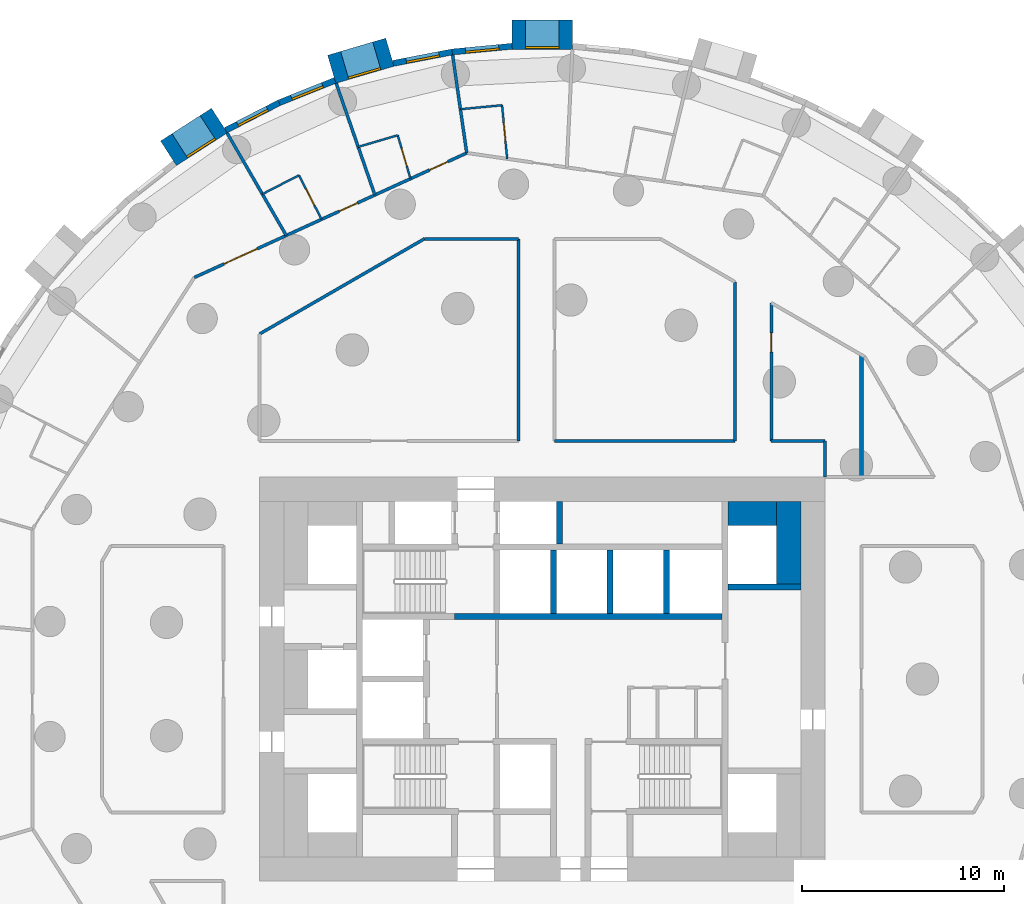
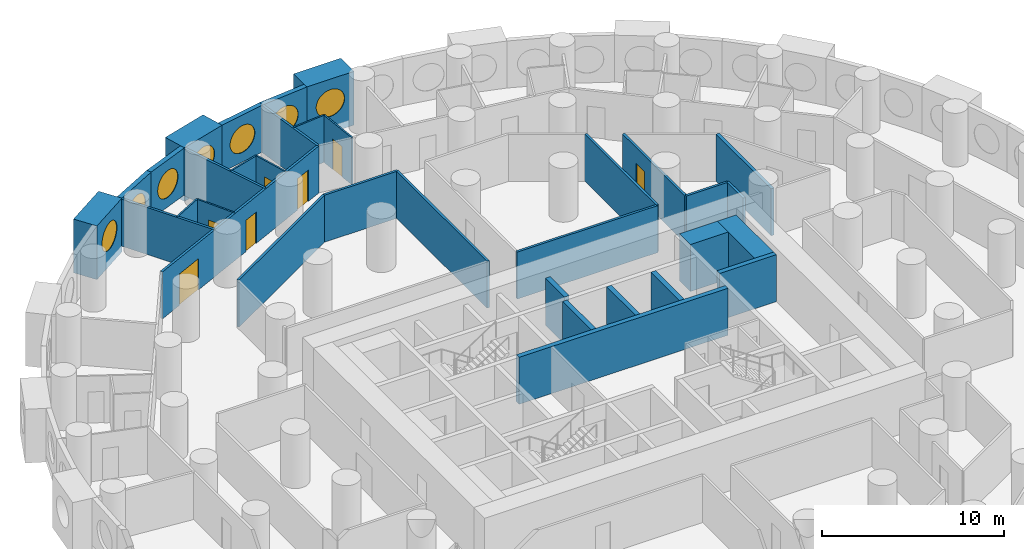
# One storey, part 8 of 12: 34 walls, 7 doors, 7 windows, 14 openings.
"""IFC4 building model written with IfcOpenShell, lengths in metres."""

import ifcopenshell
import ifcopenshell.guid

model = None  # the IFC model being written
_history = None  # IfcOwnerHistory: only IFC2X3 demands one
_inside = {}  # id of a spatial element -> (the spatial element, [elements in it])
_under = {}  # id of a project, library or spatial element -> (it, [spatial elements below it])
_declared = {}  # id of a project -> (the project, [libraries it declares])
_typed = {}  # id of a type object -> (the type object, [elements of that type])
_made_of = {}  # id of a material, layer set ... -> (it, [elements and type objects made of it])


def new_model(schema):
    """Start an empty IFC model of exactly this schema.

    Asked for "IFC4X3", IfcOpenShell would pick the latest addendum, in which some entities
    have other attributes; the version numbers below select the first issue.
    IFC2X3 requires an IfcOwnerHistory on every rooted entity: one is made here for all.
    """
    global model, _history
    if schema == "IFC4X3":
        model = ifcopenshell.file(schema_version=(4, 3, 0, 0))
    else:
        model = ifcopenshell.file(schema=schema)
    _inside.clear()
    _under.clear()
    _declared.clear()
    _typed.clear()
    _made_of.clear()
    _history = None
    if model.schema == "IFC2X3":
        org = make("IfcOrganization", Name="unknown")
        user = make(
            "IfcPersonAndOrganization",
            ThePerson=make("IfcPerson", FamilyName="unknown"),
            TheOrganization=org,
        )
        app = make(
            "IfcApplication",
            ApplicationDeveloper=org,
            Version="unknown",
            ApplicationFullName="unknown",
            ApplicationIdentifier="unknown",
        )
        _history = make(
            "IfcOwnerHistory",
            OwningUser=user,
            OwningApplication=app,
            ChangeAction="ADDED",
            CreationDate=0,
        )
    return model


def make(cls, **values):
    """One entity of the class cls with the attributes given. An attribute that is None is left unset."""
    return model.create_entity(
        cls, **{name: value for name, value in values.items() if value is not None}
    )


def rooted(cls, **values):
    """An entity with a GlobalId (a new one), such as an element, a storey or a relation."""
    return make(cls, GlobalId=ifcopenshell.guid.new(), OwnerHistory=_history, **values)


def si_unit(unit_type, name, prefix=None):
    """IfcSIUnit, for example si_unit("LENGTHUNIT", "METRE", prefix="MILLI")."""
    return make("IfcSIUnit", UnitType=unit_type, Prefix=prefix, Name=name)


def assignment(units):
    """IfcUnitAssignment: the units of a project."""
    return None if units is None else make("IfcUnitAssignment", Units=units)


def point(xyz):
    """IfcCartesianPoint."""
    return None if xyz is None else make("IfcCartesianPoint", Coordinates=xyz)


def direction(xyz):
    """IfcDirection."""
    return None if xyz is None else make("IfcDirection", DirectionRatios=xyz)


def frame(location, z_axis=None, x_axis=None):
    """IfcAxis2Placement3D, a coordinate frame: its origin and axes. An axis left out is left unset."""
    return make(
        "IfcAxis2Placement3D",
        Location=point(location),
        Axis=direction(z_axis),
        RefDirection=direction(x_axis),
    )


def frame_2d(location, x_axis=None):
    """IfcAxis2Placement2D, a coordinate frame in the plane: its origin and x axis."""
    return make(
        "IfcAxis2Placement2D", Location=point(location), RefDirection=direction(x_axis)
    )


def origin():
    """The frame at (0, 0, 0) with its axes left unset."""
    return frame((0.0, 0.0, 0.0))


def origin_2d():
    """The frame at (0, 0) in the plane with its x axis left unset."""
    return frame_2d((0.0, 0.0))


def place(relative_to, where):
    """IfcLocalPlacement: puts the frame where relative to a parent placement (None: the world)."""
    return make(
        "IfcLocalPlacement", PlacementRelTo=relative_to, RelativePlacement=where
    )


def context(
    kind, dimensions, precision=None, world=None, true_north=None, identifier=None
):
    """IfcGeometricRepresentationContext, for example the 3D "Model" context."""
    return make(
        "IfcGeometricRepresentationContext",
        ContextIdentifier=identifier,
        ContextType=kind,
        CoordinateSpaceDimension=dimensions,
        Precision=precision,
        WorldCoordinateSystem=world,
        TrueNorth=true_north,
    )


def subcontext(parent, identifier, kind, view, scale=None):
    """IfcGeometricRepresentationSubContext, for example "Body" below "Model"."""
    return make(
        "IfcGeometricRepresentationSubContext",
        ContextIdentifier=identifier,
        ContextType=kind,
        ParentContext=parent,
        TargetScale=scale,
        TargetView=view,
    )


def project(units=None, contexts=None):
    """IfcProject with its units and contexts."""
    return rooted(
        "IfcProject",
        Name="project",
        RepresentationContexts=contexts,
        UnitsInContext=assignment(units),
    )


def spatial(cls, under=None, at=None, **own):
    """A site, building, storey or space (cls), placed at a placement, below another one or the project."""
    s = rooted(cls, ObjectPlacement=at, **own)
    if under is not None:
        _under.setdefault(under.id(), (under, []))[1].append(s)
    return s


def profile(cls, at=None, kind="AREA", **sizes):
    """A parametric profile (cls). Its sizes go by their IFC names, for example OverallWidth=200.0."""
    return make(cls, ProfileType=kind, Position=at, **sizes)


def rectangle(**sizes):
    """IfcRectangleProfileDef."""
    return profile("IfcRectangleProfileDef", **sizes)


def circle(**sizes):
    """IfcCircleProfileDef."""
    return profile("IfcCircleProfileDef", **sizes)


def extrude(swept, where, along, depth):
    """IfcExtrudedAreaSolid: the profile swept, set in the frame where, extruded along a direction by depth."""
    return make(
        "IfcExtrudedAreaSolid",
        SweptArea=swept,
        Position=where,
        ExtrudedDirection=direction(along),
        Depth=depth,
    )


def shape(context_of_items, identifier, shape_type, items):
    """IfcShapeRepresentation: the items that make up one representation, for example the "Body"."""
    return make(
        "IfcShapeRepresentation",
        ContextOfItems=context_of_items,
        RepresentationIdentifier=identifier,
        RepresentationType=shape_type,
        Items=items,
    )


def material(Name=None, Category=None):
    """IfcMaterial."""
    return make("IfcMaterial", Name=Name, Category=Category)


def layer(
    of_material, thickness, ventilated=None, Name=None, Category=None, Priority=None
):
    """IfcMaterialLayer: one layer of a wall or slab, of a material (None: an air gap)."""
    return make(
        "IfcMaterialLayer",
        Material=of_material,
        LayerThickness=thickness,
        IsVentilated=ventilated,
        Name=Name,
        Category=Category,
        Priority=Priority,
    )


def layer_set(layers, Name=None):
    """IfcMaterialLayerSet."""
    return make("IfcMaterialLayerSet", MaterialLayers=layers, LayerSetName=Name)


def made_of(thing, what):
    """Note that an element or type object is made of a material, layer set ...; save() writes the relation."""
    if what is not None:
        _made_of.setdefault(what.id(), (what, []))[1].append(thing)
    return thing


def type_object(cls, material=None, **own):
    """A type object (cls), such as IfcWallType, which elements share."""
    return made_of(rooted(cls, **own), material)


def element(
    cls,
    number,
    at=None,
    inside=None,
    cuts=None,
    type_object=None,
    material=None,
    context=None,
    identifier="Body",
    shape_type=None,
    held_by="IfcProductDefinitionShape",
    body=None,
    shapes=None,
    **own,
):
    """One element of the class cls, such as IfcWall. Its Tag is "e" and its number.

    at: its placement. inside: the storey or other place that contains it. cuts: it is an
    opening in that element (IfcRelVoidsElement). A single representation is given by context,
    identifier, shape_type and body (its items); several are given by shapes. held_by: the class
    of the entity that holds the representations. save() writes the other relations.
    """
    e = rooted(cls, Tag="e%d" % number, ObjectPlacement=at, **own)
    if body is not None:
        shapes = [shape(context, identifier, shape_type, body)]
    if shapes is not None:
        e.Representation = make(held_by, Representations=shapes)
    if inside is not None:
        _inside.setdefault(inside.id(), (inside, []))[1].append(e)
    if cuts is not None:
        rooted(
            "IfcRelVoidsElement", RelatingBuildingElement=cuts, RelatedOpeningElement=e
        )
    if type_object is not None:
        _typed.setdefault(type_object.id(), (type_object, []))[1].append(e)
    return made_of(e, material)


def fill(opening, filler):
    """IfcRelFillsElement: the door or window that sits in an opening."""
    return rooted(
        "IfcRelFillsElement",
        RelatingOpeningElement=opening,
        RelatedBuildingElement=filler,
    )


def aggregate(whole, parts):
    """IfcRelAggregates: a whole, such as a stair, and the parts it consists of."""
    return rooted("IfcRelAggregates", RelatingObject=whole, RelatedObjects=parts)


def save(model, path):
    """Write the relations noted so far, then the file.

    IfcRelAggregates (storeys below a building ...), IfcRelContainedInSpatialStructure (elements
    in a storey), IfcRelDefinesByType, IfcRelAssociatesMaterial and IfcRelDeclares: one each for
    every whole, place, type object, material and project.
    """
    for whole, parts in _under.values():
        aggregate(whole, parts)
    for where, things in _inside.values():
        rooted(
            "IfcRelContainedInSpatialStructure",
            RelatedElements=things,
            RelatingStructure=where,
        )
    for kind, things in _typed.values():
        rooted("IfcRelDefinesByType", RelatedObjects=things, RelatingType=kind)
    for what, things in _made_of.values():
        rooted("IfcRelAssociatesMaterial", RelatedObjects=things, RelatingMaterial=what)
    for by, libraries in _declared.values():
        rooted("IfcRelDeclares", RelatingContext=by, RelatedDefinitions=libraries)
    model.write(path)


model = new_model("IFC4")

# Units and contexts
model_context = context("Model", 3, precision=1e-05, world=origin(), true_north=direction((0.0, 1.0)))
body_context = subcontext(model_context, "Body", "Model", "MODEL_VIEW")
ifc_project = project(units=[si_unit("LENGTHUNIT", "METRE"), si_unit("AREAUNIT", "SQUARE_METRE"), si_unit("VOLUMEUNIT", "CUBIC_METRE"), si_unit("PLANEANGLEUNIT", "RADIAN"), si_unit("MASSUNIT", "GRAM", prefix="KILO")], contexts=[model_context])

# Site, building, storey
site_placement = place(None, origin())
site = spatial("IfcSite", under=ifc_project, at=site_placement, CompositionType="ELEMENT")
building_placement = place(site_placement, origin())
building = spatial("IfcBuilding", under=site, at=building_placement, Name="Tracery Tower", CompositionType="ELEMENT")
storey_placement = place(building_placement, frame((0.0, 0.0, 49.800048828125)))
storey = spatial("IfcBuildingStorey", under=building, at=storey_placement, Name="L11", CompositionType="ELEMENT", Elevation=49.800048828125)

# Walls
ifc_material_1 = material(Name="Concrete C60/75", Category="concrete")
ifc_layer_1 = layer(ifc_material_1, 1.199951171875)
ifc_layer_set_1 = layer_set([ifc_layer_1], Name="Core strip wall 1200 C60")
wall_type_1 = type_object("IfcWallType", Name="Core strip wall 1200 C60", PredefinedType="SOLIDWALL", material=ifc_layer_set_1)
wall_1_placement = place(storey_placement, frame((12.199951171875, 4.699951171875, 0.0), z_axis=(0.0, 0.0, 1.0), x_axis=(0.0, 1.0, 0.0)))
element("IfcWall", 1, at=wall_1_placement, inside=storey, type_object=wall_type_1, Name="L11 wing strip +1 4.55", PredefinedType="SOLIDWALL", context=body_context, shape_type="SweptSolid", body=[
    extrude(rectangle(XDim=4.10009765625, YDim=1.199951171875, at=frame_2d((2.050048828125, 0.0))), origin(), (0.0, 0.0, 1.0), 3.14990234375),
])
wall_2_placement = place(storey_placement, frame((9.199951171875, 8.199951171875, 0.0), z_axis=(0.0, 0.0, 1.0), x_axis=(1.0, 0.0, 0.0)))
element("IfcWall", 2, at=wall_2_placement, inside=storey, type_object=wall_type_1, Name="L11 wing corner +1 +8.2", PredefinedType="SOLIDWALL", context=body_context, shape_type="SweptSolid", body=[
    extrude(rectangle(XDim=2.400146484375, YDim=1.199951171875, at=frame_2d((1.2001953125, 0.0))), origin(), (0.0, 0.0, 1.0), 3.14990234375),
])

# Wall, opening, window
ifc_material_2 = material(Name="Precast concrete C50/60", Category="concrete")
ifc_layer_2 = layer(ifc_material_2, 1.449951171875)
ifc_layer_set_2 = layer_set([ifc_layer_2], Name="Deep-set bay unit 3000 x 3600, slab edge 450")
wall_type_2 = type_object("IfcWallType", Name="Deep-set bay unit 3000 x 3600, slab edge 450", PredefinedType="ELEMENTEDWALL", material=ifc_layer_set_2)
wall_3_placement = place(storey_placement, frame((1.5, 31.913818359375, -0.449951171875), z_axis=(0.0, 0.0, 1.0), x_axis=(-1.0, 0.0, 0.0)))
wall_3 = element("IfcWall", 3, at=wall_3_placement, inside=storey, type_object=wall_type_2, Name="Deep-set bay unit 17 at L11", PredefinedType="ELEMENTEDWALL", context=body_context, shape_type="SweptSolid", body=[
    extrude(rectangle(XDim=3.0, YDim=1.449951171875, at=frame_2d((1.5, 0.0))), origin(), (0.0, 0.0, 1.0), 3.599853515625),
])
opening_1_placement = place(wall_3_placement, frame((1.5, 0.0, 2.0)))
opening_1 = element("IfcOpeningElement", 4, at=opening_1_placement, cuts=wall_3, Name="Opening WN1", PredefinedType="OPENING", context=body_context, shape_type="SweptSolid", body=[
    extrude(circle(Radius=0.9000244140625, at=origin_2d()), frame((0.0, 0.73486328125, 0.0), z_axis=(0.0, -1.0, 0.0), x_axis=(1.0, 0.0, 0.0)), (0.0, 0.0, 1.0), 1.469970703125),
])
ifc_material_3 = material(Name="Aluminium frame with tinted double glazing", Category="aluminium")
window_type = type_object("IfcWindowType", Name="Round window 1800", PartitioningType="SINGLE_PANEL", PredefinedType="WINDOW", material=ifc_material_3)
window_1_placement = place(opening_1_placement, origin())
window_1 = element("IfcWindow", 5, at=window_1_placement, inside=storey, type_object=window_type, Name="Round window 17 at L11", OverallHeight=1.800048828125, OverallWidth=1.800048828125, PartitioningType="SINGLE_PANEL", PredefinedType="WINDOW", context=body_context, shape_type="SweptSolid", body=[
    extrude(circle(Radius=0.9000244140625, at=origin_2d()), frame((0.0, 0.69482421875, 0.0), z_axis=(0.0, -1.0, 0.0), x_axis=(1.0, 0.0, 0.0)), (0.0, 0.0, 1.0), 0.10009765625),
])
fill(opening_1, window_1)

wall_4_placement = place(storey_placement, frame((-7.552001953125, 31.043701171875, -0.449951171875), z_axis=(0.0, 0.0, 1.0), x_axis=(-0.959489813418, -0.281743319258, 0.0)))
wall_4 = element("IfcWall", 6, at=wall_4_placement, inside=storey, type_object=wall_type_2, Name="Deep-set bay unit 20 at L11", PredefinedType="ELEMENTEDWALL", context=body_context, shape_type="SweptSolid", body=[
    extrude(rectangle(XDim=3.0, YDim=1.449951171875, at=frame_2d((1.5, 0.0))), origin(), (0.0, 0.0, 1.0), 3.599853515625),
])
opening_2_placement = place(wall_4_placement, frame((1.5, 0.0, 2.0)))
opening_2 = element("IfcOpeningElement", 7, at=opening_2_placement, cuts=wall_4, Name="Opening WN1", PredefinedType="OPENING", context=body_context, shape_type="SweptSolid", body=[
    extrude(circle(Radius=0.9000244140625, at=origin_2d()), frame((0.0, 0.73486328125, 0.0), z_axis=(0.0, -1.0, 0.0), x_axis=(1.0, 0.0, 0.0)), (0.0, 0.0, 1.0), 1.469970703125),
])
window_2_placement = place(opening_2_placement, origin())
window_2 = element("IfcWindow", 8, at=window_2_placement, inside=storey, type_object=window_type, Name="Round window 20 at L11", OverallHeight=1.800048828125, OverallWidth=1.800048828125, PartitioningType="SINGLE_PANEL", PredefinedType="WINDOW", context=body_context, shape_type="SweptSolid", body=[
    extrude(circle(Radius=0.9000244140625, at=origin_2d()), frame((0.0, 0.69482421875, 0.0), z_axis=(0.0, -1.0, 0.0), x_axis=(1.0, 0.0, 0.0)), (0.0, 0.0, 1.0), 0.10009765625),
])
fill(opening_2, window_2)

wall_5_placement = place(storey_placement, frame((-15.9921875, 27.65869140625, -0.449951171875), z_axis=(0.0, 0.0, 1.0), x_axis=(-0.841223422347, -0.540687667415, 0.0)))
wall_5 = element("IfcWall", 9, at=wall_5_placement, inside=storey, type_object=wall_type_2, Name="Deep-set bay unit 23 at L11", PredefinedType="ELEMENTEDWALL", context=body_context, shape_type="SweptSolid", body=[
    extrude(rectangle(XDim=3.0, YDim=1.449951171875, at=frame_2d((1.5, 0.0))), origin(), (0.0, 0.0, 1.0), 3.599853515625),
])
opening_3_placement = place(wall_5_placement, frame((1.5, 0.0, 2.0)))
opening_3 = element("IfcOpeningElement", 10, at=opening_3_placement, cuts=wall_5, Name="Opening WN1", PredefinedType="OPENING", context=body_context, shape_type="SweptSolid", body=[
    extrude(circle(Radius=0.9000244140625, at=origin_2d()), frame((0.0, 0.73486328125, 0.0), z_axis=(0.0, -1.0, 0.0), x_axis=(1.0, 0.0, 0.0)), (0.0, 0.0, 1.0), 1.469970703125),
])
window_3_placement = place(opening_3_placement, origin())
window_3 = element("IfcWindow", 11, at=window_3_placement, inside=storey, type_object=window_type, Name="Round window 23 at L11", OverallHeight=1.800048828125, OverallWidth=1.800048828125, PartitioningType="SINGLE_PANEL", PredefinedType="WINDOW", context=body_context, shape_type="SweptSolid", body=[
    extrude(circle(Radius=0.9000244140625, at=origin_2d()), frame((0.0, 0.69482421875, 0.0), z_axis=(0.0, -1.0, 0.0), x_axis=(1.0, 0.0, 0.0)), (0.0, 0.0, 1.0), 0.10009765625),
])
fill(opening_3, window_3)

ifc_material_4 = material(Name="Precast concrete C50/60", Category="concrete")
ifc_layer_3 = layer(ifc_material_4, 0.300048828125)
ifc_layer_set_3 = layer_set([ifc_layer_3], Name="Facade panel 3000 x 3150")
wall_type_3 = type_object("IfcWallType", Name="Facade panel 3000 x 3150", PredefinedType="SOLIDWALL", material=ifc_layer_set_3)
wall_6_placement = place(storey_placement, frame((-1.498779296875, 31.33837890625, 0.0), z_axis=(0.0, 0.0, 1.0), x_axis=(-0.995473351551, -0.095041077185, 0.0)))
wall_6 = element("IfcWall", 12, at=wall_6_placement, inside=storey, type_object=wall_type_3, Name="Facade panel 18 at L11", PredefinedType="SOLIDWALL", context=body_context, shape_type="SweptSolid", body=[
    extrude(rectangle(XDim=2.979736328125, YDim=0.300048828125, at=frame_2d((1.48974609375, 0.0))), origin(), (0.0, 0.0, 1.0), 3.14990234375),
])
opening_4_placement = place(wall_6_placement, frame((1.48974609375, 0.0, 1.5498046875)))
opening_4 = element("IfcOpeningElement", 13, at=opening_4_placement, cuts=wall_6, Name="Opening WN1", PredefinedType="OPENING", context=body_context, shape_type="SweptSolid", body=[
    extrude(circle(Radius=0.9000244140625, at=origin_2d()), frame((0.0, 0.159912109375, 0.0), z_axis=(0.0, -1.0, 0.0), x_axis=(1.0, 0.0, 0.0)), (0.0, 0.0, 1.0), 0.320068359375),
])
window_4_placement = place(opening_4_placement, origin())
window_4 = element("IfcWindow", 14, at=window_4_placement, inside=storey, type_object=window_type, Name="Round window 18 at L11", OverallHeight=1.800048828125, OverallWidth=1.800048828125, PartitioningType="SINGLE_PANEL", PredefinedType="WINDOW", context=body_context, shape_type="SweptSolid", body=[
    extrude(circle(Radius=0.9000244140625, at=origin_2d()), frame((0.0, 0.1201171875, 0.0), z_axis=(0.0, -1.0, 0.0), x_axis=(1.0, 0.0, 0.0)), (0.0, 0.0, 1.0), 0.10009765625),
])
fill(opening_4, window_4)

wall_7_placement = place(storey_placement, frame((-4.465087890625, 31.05517578125, 0.0), z_axis=(0.0, 0.0, 1.0), x_axis=(-0.981924535406, -0.189272836848, 0.0)))
wall_7 = element("IfcWall", 15, at=wall_7_placement, inside=storey, type_object=wall_type_3, Name="Facade panel 19 at L11", PredefinedType="SOLIDWALL", context=body_context, shape_type="SweptSolid", body=[
    extrude(rectangle(XDim=2.979736328125, YDim=0.300048828125, at=frame_2d((1.48974609375, 0.0))), origin(), (0.0, 0.0, 1.0), 3.14990234375),
])
opening_5_placement = place(wall_7_placement, frame((1.48974609375, 0.0, 1.5498046875)))
opening_5 = element("IfcOpeningElement", 16, at=opening_5_placement, cuts=wall_7, Name="Opening WN1", PredefinedType="OPENING", context=body_context, shape_type="SweptSolid", body=[
    extrude(circle(Radius=0.9000244140625, at=origin_2d()), frame((0.0, 0.159912109375, 0.0), z_axis=(0.0, -1.0, 0.0), x_axis=(1.0, 0.0, 0.0)), (0.0, 0.0, 1.0), 0.320068359375),
])
window_5_placement = place(opening_5_placement, origin())
window_5 = element("IfcWindow", 17, at=window_5_placement, inside=storey, type_object=window_type, Name="Round window 19 at L11", OverallHeight=1.800048828125, OverallWidth=1.800048828125, PartitioningType="SINGLE_PANEL", PredefinedType="WINDOW", context=body_context, shape_type="SweptSolid", body=[
    extrude(circle(Radius=0.9000244140625, at=origin_2d()), frame((0.0, 0.1201171875, 0.0), z_axis=(0.0, -1.0, 0.0), x_axis=(1.0, 0.0, 0.0)), (0.0, 0.0, 1.0), 0.10009765625),
])
fill(opening_5, window_5)

wall_8_placement = place(storey_placement, frame((-10.26708984375, 29.646484375, 0.0), z_axis=(0.0, 0.0, 1.0), x_axis=(-0.928403213937, -0.371574316054, 0.0)))
wall_8 = element("IfcWall", 18, at=wall_8_placement, inside=storey, type_object=wall_type_3, Name="Facade panel 21 at L11", PredefinedType="SOLIDWALL", context=body_context, shape_type="SweptSolid", body=[
    extrude(rectangle(XDim=2.979736328125, YDim=0.300048828125, at=frame_2d((1.48974609375, 0.0))), origin(), (0.0, 0.0, 1.0), 3.14990234375),
])
opening_6_placement = place(wall_8_placement, frame((1.48974609375, 0.0, 1.5498046875)))
opening_6 = element("IfcOpeningElement", 19, at=opening_6_placement, cuts=wall_8, Name="Opening WN1", PredefinedType="OPENING", context=body_context, shape_type="SweptSolid", body=[
    extrude(circle(Radius=0.9000244140625, at=origin_2d()), frame((0.0, 0.159912109375, 0.0), z_axis=(0.0, -1.0, 0.0), x_axis=(1.0, 0.0, 0.0)), (0.0, 0.0, 1.0), 0.320068359375),
])
window_6_placement = place(opening_6_placement, origin())
window_6 = element("IfcWindow", 20, at=window_6_placement, inside=storey, type_object=window_type, Name="Round window 21 at L11", OverallHeight=1.800048828125, OverallWidth=1.800048828125, PartitioningType="SINGLE_PANEL", PredefinedType="WINDOW", context=body_context, shape_type="SweptSolid", body=[
    extrude(circle(Radius=0.9000244140625, at=origin_2d()), frame((0.0, 0.1201171875, 0.0), z_axis=(0.0, -1.0, 0.0), x_axis=(1.0, 0.0, 0.0)), (0.0, 0.0, 1.0), 0.10009765625),
])
fill(opening_6, window_6)

wall_9_placement = place(storey_placement, frame((-13.033447265625, 28.539306640625, 0.0), z_axis=(0.0, 0.0, 1.0), x_axis=(-0.888819853856, -0.458256770153, 0.0)))
wall_9 = element("IfcWall", 21, at=wall_9_placement, inside=storey, type_object=wall_type_3, Name="Facade panel 22 at L11", PredefinedType="SOLIDWALL", context=body_context, shape_type="SweptSolid", body=[
    extrude(rectangle(XDim=2.979736328125, YDim=0.300048828125, at=frame_2d((1.48974609375, 0.0))), origin(), (0.0, 0.0, 1.0), 3.14990234375),
])
opening_7_placement = place(wall_9_placement, frame((1.48974609375, 0.0, 1.5498046875)))
opening_7 = element("IfcOpeningElement", 22, at=opening_7_placement, cuts=wall_9, Name="Opening WN1", PredefinedType="OPENING", context=body_context, shape_type="SweptSolid", body=[
    extrude(circle(Radius=0.9000244140625, at=origin_2d()), frame((0.0, 0.159912109375, 0.0), z_axis=(0.0, -1.0, 0.0), x_axis=(1.0, 0.0, 0.0)), (0.0, 0.0, 1.0), 0.320068359375),
])
window_7_placement = place(opening_7_placement, origin())
window_7 = element("IfcWindow", 23, at=window_7_placement, inside=storey, type_object=window_type, Name="Round window 22 at L11", OverallHeight=1.800048828125, OverallWidth=1.800048828125, PartitioningType="SINGLE_PANEL", PredefinedType="WINDOW", context=body_context, shape_type="SweptSolid", body=[
    extrude(circle(Radius=0.9000244140625, at=origin_2d()), frame((0.0, 0.1201171875, 0.0), z_axis=(0.0, -1.0, 0.0), x_axis=(1.0, 0.0, 0.0)), (0.0, 0.0, 1.0), 0.10009765625),
])
fill(opening_7, window_7)

# Wall, opening, door
ifc_material_5 = material(Name="Plasterboard on steel studs", Category="steel")
ifc_layer_4 = layer(ifc_material_5, 0.10009765625)
ifc_layer_set_4 = layer_set([ifc_layer_4], Name="Partition 100 wet wall")
wall_type_4 = type_object("IfcWallType", Name="Partition 100 wet wall", PredefinedType="PARTITIONING", material=ifc_layer_set_4)
wall_10_placement = place(storey_placement, frame((-1.99609375, 28.41796875, 0.0), z_axis=(0.0, 0.0, 1.0), x_axis=(0.094925726797, -0.995484357683, 0.0)))
wall_10 = element("IfcWall", 24, at=wall_10_placement, inside=storey, type_object=wall_type_4, Name="Wet wall RA3-077", PredefinedType="PARTITIONING", context=body_context, shape_type="SweptSolid", body=[
    extrude(rectangle(XDim=2.6669921875, YDim=0.10009765625, at=frame_2d((1.33349609375, 0.0))), origin(), (0.0, 0.0, 1.0), 3.14990234375),
])
opening_8_placement = place(wall_10_placement, frame((0.883056640625, 0.0, 0.0)))
opening_8 = element("IfcOpeningElement", 25, at=opening_8_placement, cuts=wall_10, Name="Opening RA3-22", PredefinedType="OPENING", context=body_context, shape_type="SweptSolid", body=[
    extrude(rectangle(XDim=0.89990234375, YDim=2.0400390625, at=frame_2d((0.449951171875, 1.02001953125))), frame((0.0, 0.050048828125, 0.0), z_axis=(0.0, -1.0, 0.0), x_axis=(1.0, 0.0, 0.0)), (0.0, 0.0, 1.0), 0.10009765625),
])
ifc_material_6 = material(Name="Timber door leaf", Category="wood")
door_type_1 = type_object("IfcDoorType", Name="Door en-suite 900", OperationType="NOTDEFINED", PredefinedType="DOOR", material=ifc_material_6)
door_1_placement = place(opening_8_placement, origin())
door_1 = element("IfcDoor", 26, at=door_1_placement, inside=storey, type_object=door_type_1, Name="En-suite door RA3-22", OperationType="SINGLE_SWING_RIGHT", OverallHeight=2.0400390625, OverallWidth=0.89990234375, PredefinedType="DOOR", context=body_context, shape_type="SweptSolid", body=[
    extrude(rectangle(XDim=0.89990234375, YDim=2.0400390625, at=frame_2d((0.449951171875, 1.02001953125))), frame((0.0, 0.02490234375, 0.0), z_axis=(0.0, -1.0, 0.0), x_axis=(1.0, 0.0, 0.0)), (0.0, 0.0, 1.0), 0.050048828125),
])
fill(opening_8, door_1)

# Wall
wall_11_placement = place(storey_placement, frame((-4.05810546875, 28.220947265625, 0.0), z_axis=(0.0, 0.0, 1.0), x_axis=(0.995466291052, 0.095115000814, 0.0)))
element("IfcWall", 27, at=wall_11_placement, inside=storey, type_object=wall_type_4, Name="Wet wall RA3-078", PredefinedType="PARTITIONING", context=body_context, shape_type="SweptSolid", body=[
    extrude(rectangle(XDim=2.0712890625, YDim=0.10009765625, at=frame_2d((1.03564453125, 0.0))), origin(), (0.0, 0.0, 1.0), 3.14990234375),
])

# Wall, opening, door
wall_12_placement = place(storey_placement, frame((-7.1630859375, 26.929931640625, 0.0), z_axis=(0.0, 0.0, 1.0), x_axis=(0.281948165188, -0.959429638977, 0.0)))
wall_12 = element("IfcWall", 28, at=wall_12_placement, inside=storey, type_object=wall_type_4, Name="Wet wall RA3-080", PredefinedType="PARTITIONING", context=body_context, shape_type="SweptSolid", body=[
    extrude(rectangle(XDim=2.241943359375, YDim=0.10009765625, at=frame_2d((1.12109375, 0.0))), origin(), (0.0, 0.0, 1.0), 3.14990234375),
])
opening_9_placement = place(wall_12_placement, frame((0.6708984375, 0.0, 0.0)))
opening_9 = element("IfcOpeningElement", 29, at=opening_9_placement, cuts=wall_12, Name="Opening RA3-24", PredefinedType="OPENING", context=body_context, shape_type="SweptSolid", body=[
    extrude(rectangle(XDim=0.89990234375, YDim=2.0400390625, at=frame_2d((0.449951171875, 1.02001953125))), frame((0.0, 0.050048828125, 0.0), z_axis=(0.0, -1.0, 0.0), x_axis=(1.0, 0.0, 0.0)), (0.0, 0.0, 1.0), 0.10009765625),
])
door_2_placement = place(opening_9_placement, origin())
door_2 = element("IfcDoor", 30, at=door_2_placement, inside=storey, type_object=door_type_1, Name="En-suite door RA3-24", OperationType="SINGLE_SWING_RIGHT", OverallHeight=2.0400390625, OverallWidth=0.89990234375, PredefinedType="DOOR", context=body_context, shape_type="SweptSolid", body=[
    extrude(rectangle(XDim=0.89990234375, YDim=2.0400390625, at=frame_2d((0.449951171875, 1.02001953125))), frame((0.0, 0.02490234375, 0.0), z_axis=(0.0, -1.0, 0.0), x_axis=(1.0, 0.0, 0.0)), (0.0, 0.0, 1.0), 0.050048828125),
])
fill(opening_9, door_2)

# Wall
wall_13_placement = place(storey_placement, frame((-9.12109375, 26.35498046875, 0.0), z_axis=(0.0, 0.0, 1.0), x_axis=(0.95948923736, 0.281745281045, 0.0)))
element("IfcWall", 31, at=wall_13_placement, inside=storey, type_object=wall_type_4, Name="Wet wall RA3-081", PredefinedType="PARTITIONING", context=body_context, shape_type="SweptSolid", body=[
    extrude(rectangle(XDim=2.040771484375, YDim=0.10009765625, at=frame_2d((1.0205078125, 0.0))), origin(), (0.0, 0.0, 1.0), 3.14990234375),
])

# Wall, opening, door
wall_14_placement = place(storey_placement, frame((-12.05810546875, 24.947998046875, 0.0), z_axis=(0.0, 0.0, 1.0), x_axis=(0.458287904527, -0.888803800939, 0.0)))
wall_14 = element("IfcWall", 32, at=wall_14_placement, inside=storey, type_object=wall_type_4, Name="Wet wall RA3-083", PredefinedType="PARTITIONING", context=body_context, shape_type="SweptSolid", body=[
    extrude(rectangle(XDim=2.45263671875, YDim=0.10009765625, at=frame_2d((1.226318359375, 0.0))), origin(), (0.0, 0.0, 1.0), 3.14990234375),
])
opening_10_placement = place(wall_14_placement, frame((0.776611328125, 0.0, 0.0)))
opening_10 = element("IfcOpeningElement", 33, at=opening_10_placement, cuts=wall_14, Name="Opening RA3-26", PredefinedType="OPENING", context=body_context, shape_type="SweptSolid", body=[
    extrude(rectangle(XDim=0.89990234375, YDim=2.0400390625, at=frame_2d((0.449951171875, 1.02001953125))), frame((0.0, 0.050048828125, 0.0), z_axis=(0.0, -1.0, 0.0), x_axis=(1.0, 0.0, 0.0)), (0.0, 0.0, 1.0), 0.10009765625),
])
door_3_placement = place(opening_10_placement, origin())
door_3 = element("IfcDoor", 34, at=door_3_placement, inside=storey, type_object=door_type_1, Name="En-suite door RA3-26", OperationType="SINGLE_SWING_LEFT", OverallHeight=2.0400390625, OverallWidth=0.89990234375, PredefinedType="DOOR", context=body_context, shape_type="SweptSolid", body=[
    extrude(rectangle(XDim=0.89990234375, YDim=2.0400390625, at=frame_2d((0.449951171875, 1.02001953125))), frame((0.0, 0.02490234375, 0.0), z_axis=(0.0, -1.0, 0.0), x_axis=(1.0, 0.0, 0.0)), (0.0, 0.0, 1.0), 0.050048828125),
])
fill(opening_10, door_3)

# Walls
wall_15_placement = place(storey_placement, frame((-13.865966796875, 24.01611328125, 0.0), z_axis=(0.0, 0.0, 1.0), x_axis=(0.888861985525, 0.45817504372, 0.0)))
element("IfcWall", 35, at=wall_15_placement, inside=storey, type_object=wall_type_4, Name="Wet wall RA3-084", PredefinedType="PARTITIONING", context=body_context, shape_type="SweptSolid", body=[
    extrude(rectangle(XDim=2.033935546875, YDim=0.10009765625, at=frame_2d((1.01708984375, 0.0))), origin(), (0.0, 0.0, 1.0), 3.14990234375),
])
ifc_material_7 = material(Name="Plasterboard on steel studs", Category="steel")
ifc_layer_5 = layer(ifc_material_7, 0.14990234375)
ifc_layer_set_5 = layer_set([ifc_layer_5], Name="Partition 150 acoustic unit wall")
wall_type_5 = type_object("IfcWallType", Name="Partition 150 acoustic unit wall", PredefinedType="PARTITIONING", material=ifc_layer_set_5)
wall_16_placement = place(storey_placement, frame((-4.444091796875, 30.906005859375, 0.0), z_axis=(0.0, 0.0, 1.0), x_axis=(0.142104219222, -0.989851701458, 0.0)))
element("IfcWall", 36, at=wall_16_placement, inside=storey, type_object=wall_type_5, Name="Unit wall RA3-079", PredefinedType="PARTITIONING", context=body_context, shape_type="SweptSolid", body=[
    extrude(rectangle(XDim=4.905029296875, YDim=0.14990234375, at=frame_2d((2.45263671875, 0.0))), origin(), (0.0, 0.0, 1.0), 3.14990234375),
])
wall_17_placement = place(storey_placement, frame((-10.2119140625, 29.507080078125, 0.0), z_axis=(0.0, 0.0, 1.0), x_axis=(0.327223665968, -0.944946915139, 0.0)))
element("IfcWall", 37, at=wall_17_placement, inside=storey, type_object=wall_type_5, Name="Unit wall RA3-082", PredefinedType="PARTITIONING", context=body_context, shape_type="SweptSolid", body=[
    extrude(rectangle(XDim=5.85693359375, YDim=0.14990234375, at=frame_2d((2.928466796875, 0.0))), origin(), (0.0, 0.0, 1.0), 3.14990234375),
])
wall_18_placement = place(storey_placement, frame((-15.612060546875, 27.041015625, 0.0), z_axis=(0.0, 0.0, 1.0), x_axis=(0.499905289531, -0.866080077994, 0.0)))
element("IfcWall", 38, at=wall_18_placement, inside=storey, type_object=wall_type_5, Name="Unit wall RA3-085", PredefinedType="PARTITIONING", context=body_context, shape_type="SweptSolid", body=[
    extrude(rectangle(XDim=5.856689453125, YDim=0.14990234375, at=frame_2d((2.92822265625, 0.0))), origin(), (0.0, 0.0, 1.0), 3.14990234375),
])
ifc_material_8 = material(Name="Plasterboard on steel studs", Category="steel")
ifc_layer_6 = layer(ifc_material_8, 0.14990234375)
ifc_layer_set_6 = layer_set([ifc_layer_6], Name="Partition 150 corridor wall")
wall_type_6 = type_object("IfcWallType", Name="Partition 150 corridor wall", PredefinedType="PARTITIONING", material=ifc_layer_set_6)
wall_19_placement = place(storey_placement, frame((0.60400390625, 11.800048828125, 0.0), z_axis=(0.0, 0.0, 1.0), x_axis=(1.0, 0.0, 0.0)))
element("IfcWall", 39, at=wall_19_placement, inside=storey, type_object=wall_type_6, Name="Corridor wall RA3-002", PredefinedType="PARTITIONING", context=body_context, shape_type="SweptSolid", body=[
    extrude(rectangle(XDim=8.93603515625, YDim=0.14990234375, at=frame_2d((4.468017578125, 0.0))), origin(), (0.0, 0.0, 1.0), 3.14990234375),
])
wall_20_placement = place(storey_placement, frame((11.33203125, 11.800048828125, 0.0), z_axis=(0.0, 0.0, 1.0), x_axis=(1.0, 0.0, 0.0)))
element("IfcWall", 40, at=wall_20_placement, inside=storey, type_object=wall_type_6, Name="Corridor wall RA3-003", PredefinedType="PARTITIONING", context=body_context, shape_type="SweptSolid", body=[
    extrude(rectangle(XDim=2.66796875, YDim=0.14990234375, at=frame_2d((1.333984375, 0.0))), origin(), (0.0, 0.0, 1.0), 3.14990234375),
])
wall_21_placement = place(storey_placement, frame((14.0, 10.0, 0.0), z_axis=(0.0, 0.0, 1.0), x_axis=(0.0, 1.0, 0.0)))
element("IfcWall", 41, at=wall_21_placement, inside=storey, type_object=wall_type_6, Name="Corridor wall RA3-004", PredefinedType="PARTITIONING", context=body_context, shape_type="SweptSolid", body=[
    extrude(rectangle(XDim=1.800048828125, YDim=0.14990234375, at=frame_2d((0.89990234375, 0.0))), origin(), (0.0, 0.0, 1.0), 3.14990234375),
])
wall_22_placement = place(storey_placement, frame((-1.19189453125, 11.800048828125, 0.0), z_axis=(0.0, 0.0, 1.0), x_axis=(0.0, 1.0, 0.0)))
element("IfcWall", 42, at=wall_22_placement, inside=storey, type_object=wall_type_6, Name="Corridor wall RA3-025", PredefinedType="PARTITIONING", context=body_context, shape_type="SweptSolid", body=[
    extrude(rectangle(XDim=10.001953125, YDim=0.14990234375, at=frame_2d((5.0009765625, 0.0))), origin(), (0.0, 0.0, 1.0), 3.14990234375),
])
wall_23_placement = place(storey_placement, frame((-5.842041015625, 21.802001953125, 0.0), z_axis=(0.0, 0.0, 1.0), x_axis=(1.0, 0.0, 0.0)))
element("IfcWall", 43, at=wall_23_placement, inside=storey, type_object=wall_type_6, Name="Corridor wall RA3-026", PredefinedType="PARTITIONING", context=body_context, shape_type="SweptSolid", body=[
    extrude(rectangle(XDim=4.650146484375, YDim=0.14990234375, at=frame_2d((2.3251953125, 0.0))), origin(), (0.0, 0.0, 1.0), 3.14990234375),
])
wall_24_placement = place(storey_placement, frame((-14.0, 17.092041015625, 0.0), z_axis=(0.0, 0.0, 1.0), x_axis=(0.86602719091, 0.499996904595, 0.0)))
element("IfcWall", 44, at=wall_24_placement, inside=storey, type_object=wall_type_6, Name="Corridor wall RA3-027", PredefinedType="PARTITIONING", context=body_context, shape_type="SweptSolid", body=[
    extrude(rectangle(XDim=9.419921875, YDim=0.14990234375, at=frame_2d((4.7099609375, 0.0))), origin(), (0.0, 0.0, 1.0), 3.14990234375),
])
wall_25_placement = place(storey_placement, frame((9.535888671875, 11.800048828125, 0.0), z_axis=(0.0, 0.0, 1.0), x_axis=(0.0, 1.0, 0.0)))
element("IfcWall", 45, at=wall_25_placement, inside=storey, type_object=wall_type_6, Name="Corridor wall RA3-029", PredefinedType="PARTITIONING", context=body_context, shape_type="SweptSolid", body=[
    extrude(rectangle(XDim=7.868896484375, YDim=0.14990234375, at=frame_2d((3.9345703125, 0.0))), origin(), (0.0, 0.0, 1.0), 3.14990234375),
])

# Wall, opening, door
wall_26_placement = place(storey_placement, frame((11.3359375, 11.800048828125, 0.0), z_axis=(0.0, 0.0, 1.0), x_axis=(0.0, 1.0, 0.0)))
wall_26 = element("IfcWall", 46, at=wall_26_placement, inside=storey, type_object=wall_type_6, Name="Corridor wall RA3-034", PredefinedType="PARTITIONING", context=body_context, shape_type="SweptSolid", body=[
    extrude(rectangle(XDim=6.829833984375, YDim=0.14990234375, at=frame_2d((3.4150390625, 0.0))), origin(), (0.0, 0.0, 1.0), 3.14990234375),
])
opening_11_placement = place(wall_26_placement, frame((4.389892578125, 0.0, 0.0)))
opening_11 = element("IfcOpeningElement", 47, at=opening_11_placement, cuts=wall_26, Name="Opening RA3-03", PredefinedType="OPENING", context=body_context, shape_type="SweptSolid", body=[
    extrude(rectangle(XDim=0.949951171875, YDim=2.10009765625, at=frame_2d((0.47509765625, 1.050048828125))), frame((0.0, 0.074951171875, 0.0), z_axis=(0.0, -1.0, 0.0), x_axis=(1.0, 0.0, 0.0)), (0.0, 0.0, 1.0), 0.14990234375),
])
ifc_material_9 = material(Name="Timber door leaf", Category="wood")
door_type_2 = type_object("IfcDoorType", Name="Door store 950", OperationType="NOTDEFINED", PredefinedType="DOOR", material=ifc_material_9)
door_4_placement = place(opening_11_placement, origin())
door_4 = element("IfcDoor", 48, at=door_4_placement, inside=storey, type_object=door_type_2, Name="Store door RA3-03", OperationType="SINGLE_SWING_LEFT", OverallHeight=2.10009765625, OverallWidth=0.949951171875, PredefinedType="DOOR", context=body_context, shape_type="SweptSolid", body=[
    extrude(rectangle(XDim=0.949951171875, YDim=2.10009765625, at=frame_2d((0.47509765625, 1.050048828125))), frame((0.0, 0.02490234375, 0.0), z_axis=(0.0, -1.0, 0.0), x_axis=(1.0, 0.0, 0.0)), (0.0, 0.0, 1.0), 0.050048828125),
])
fill(opening_11, door_4)

# Wall, openings, doors
wall_27_placement = place(storey_placement, frame((-17.23388671875, 19.8876953125, 0.0), z_axis=(0.0, 0.0, 1.0), x_axis=(0.90953867323, 0.415619299238, 0.0)))
wall_27 = element("IfcWall", 49, at=wall_27_placement, inside=storey, type_object=wall_type_6, Name="Corridor wall RA3-036", PredefinedType="PARTITIONING", context=body_context, shape_type="SweptSolid", body=[
    extrude(rectangle(XDim=14.829345703125, YDim=0.14990234375, at=frame_2d((7.41455078125, 0.0))), origin(), (0.0, 0.0, 1.0), 3.14990234375),
])
opening_12_placement = place(wall_27_placement, frame((12.797119140625, 0.0, 0.0)))
opening_12 = element("IfcOpeningElement", 50, at=opening_12_placement, cuts=wall_27, Name="Opening RA3-25", PredefinedType="OPENING", context=body_context, shape_type="SweptSolid", body=[
    extrude(rectangle(XDim=1.0, YDim=2.10009765625, at=frame_2d((0.5, 1.050048828125))), frame((0.0, 0.074951171875, 0.0), z_axis=(0.0, -1.0, 0.0), x_axis=(1.0, 0.0, 0.0)), (0.0, 0.0, 1.0), 0.14990234375),
])
opening_13_placement = place(wall_27_placement, frame((7.876708984375, 0.0, 0.0)))
opening_13 = element("IfcOpeningElement", 51, at=opening_13_placement, cuts=wall_27, Name="Opening RA3-27", PredefinedType="OPENING", context=body_context, shape_type="SweptSolid", body=[
    extrude(rectangle(XDim=1.0, YDim=2.10009765625, at=frame_2d((0.5, 1.050048828125))), frame((0.0, 0.074951171875, 0.0), z_axis=(0.0, -1.0, 0.0), x_axis=(1.0, 0.0, 0.0)), (0.0, 0.0, 1.0), 0.14990234375),
])
opening_14_placement = place(wall_27_placement, frame((1.60400390625, 0.0, 0.0)))
opening_14 = element("IfcOpeningElement", 52, at=opening_14_placement, cuts=wall_27, Name="Opening RA3-28", PredefinedType="OPENING", context=body_context, shape_type="SweptSolid", body=[
    extrude(rectangle(XDim=1.800048828125, YDim=2.10009765625, at=frame_2d((0.89990234375, 1.050048828125))), frame((0.0, 0.074951171875, 0.0), z_axis=(0.0, -1.0, 0.0), x_axis=(1.0, 0.0, 0.0)), (0.0, 0.0, 1.0), 0.14990234375),
])
ifc_material_10 = material(Name="Timber door leaf", Category="wood")
door_type_3 = type_object("IfcDoorType", Name="Door double lounge 1800", OperationType="NOTDEFINED", PredefinedType="DOOR", material=ifc_material_10)
door_5_placement = place(opening_14_placement, origin())
door_5 = element("IfcDoor", 53, at=door_5_placement, inside=storey, type_object=door_type_3, Name="Double lounge door RA3-28", OperationType="DOUBLE_DOOR_SINGLE_SWING", OverallHeight=2.10009765625, OverallWidth=1.800048828125, PredefinedType="DOOR", context=body_context, shape_type="SweptSolid", body=[
    extrude(rectangle(XDim=1.800048828125, YDim=2.10009765625, at=frame_2d((0.89990234375, 1.050048828125))), frame((0.0, 0.02490234375, 0.0), z_axis=(0.0, -1.0, 0.0), x_axis=(1.0, 0.0, 0.0)), (0.0, 0.0, 1.0), 0.050048828125),
])
fill(opening_14, door_5)
ifc_material_11 = material(Name="Timber door leaf", Category="wood")
door_type_4 = type_object("IfcDoorType", Name="Door unit entrance 1000", OperationType="NOTDEFINED", PredefinedType="DOOR", material=ifc_material_11)
door_6_placement = place(opening_12_placement, origin())
door_6 = element("IfcDoor", 54, at=door_6_placement, inside=storey, type_object=door_type_4, Name="Unit entrance door RA3-25", OperationType="SINGLE_SWING_RIGHT", OverallHeight=2.10009765625, OverallWidth=1.0, PredefinedType="DOOR", context=body_context, shape_type="SweptSolid", body=[
    extrude(rectangle(XDim=1.0, YDim=2.10009765625, at=frame_2d((0.5, 1.050048828125))), frame((0.0, 0.02490234375, 0.0), z_axis=(0.0, -1.0, 0.0), x_axis=(1.0, 0.0, 0.0)), (0.0, 0.0, 1.0), 0.050048828125),
])
fill(opening_12, door_6)
door_7_placement = place(opening_13_placement, origin())
door_7 = element("IfcDoor", 55, at=door_7_placement, inside=storey, type_object=door_type_4, Name="Unit entrance door RA3-27", OperationType="SINGLE_SWING_LEFT", OverallHeight=2.10009765625, OverallWidth=1.0, PredefinedType="DOOR", context=body_context, shape_type="SweptSolid", body=[
    extrude(rectangle(XDim=1.0, YDim=2.10009765625, at=frame_2d((0.5, 1.050048828125))), frame((0.0, 0.02490234375, 0.0), z_axis=(0.0, -1.0, 0.0), x_axis=(1.0, 0.0, 0.0)), (0.0, 0.0, 1.0), 0.050048828125),
])
fill(opening_13, door_7)

# Walls
ifc_material_12 = material(Name="Plasterboard on steel studs", Category="steel")
ifc_layer_7 = layer(ifc_material_12, 0.199951171875)
ifc_layer_set_7 = layer_set([ifc_layer_7], Name="Partition 200 compartment wall")
wall_type_7 = type_object("IfcWallType", Name="Partition 200 compartment wall", PredefinedType="PARTITIONING", material=ifc_layer_set_7)
wall_28_placement = place(storey_placement, frame((15.800048828125, 10.0, 0.0), z_axis=(0.0, 0.0, 1.0), x_axis=(0.0, 1.0, 0.0)))
element("IfcWall", 56, at=wall_28_placement, inside=storey, type_object=wall_type_7, Name="Compartment wall RA3-058", PredefinedType="PARTITIONING", context=body_context, shape_type="SweptSolid", body=[
    extrude(rectangle(XDim=6.052978515625, YDim=0.199951171875, at=frame_2d((3.0263671875, 0.0))), origin(), (0.0, 0.0, 1.0), 3.14990234375),
])
ifc_material_13 = material(Name="Concrete C60/75", Category="concrete")
ifc_layer_8 = layer(ifc_material_13, 0.300048828125)
ifc_layer_set_8 = layer_set([ifc_layer_8], Name="Shaft wall 300 C60")
wall_type_8 = type_object("IfcWallType", Name="Shaft wall 300 C60", PredefinedType="SOLIDWALL", material=ifc_layer_set_8)
for number, where, z_axis, x_axis, name in (
    (57, (0.550048828125, 3.25, 0.0), (0.0, 0.0, 1.0), (0.0, 1.0, 0.0), "L11 HR sep 1"),
    (58, (3.35009765625, 3.25, 0.0), (0.0, 0.0, 1.0), (0.0, 1.0, 0.0), "L11 HR sep 2"),
    (59, (6.14990234375, 3.25, 0.0), (0.0, 0.0, 1.0), (0.0, 1.0, 0.0), "L11 HR sep 3"),
):
    element("IfcWall", number, at=place(storey_placement, frame(where, z_axis=z_axis, x_axis=x_axis)), inside=storey, type_object=wall_type_8, Name=name, PredefinedType="SOLIDWALL", context=body_context, shape_type="SweptSolid", body=[
        extrude(rectangle(XDim=3.14990234375, YDim=0.300048828125, at=frame_2d((1.574951171875, 0.0))), origin(), (0.0, 0.0, 1.0), 3.14990234375),
    ])
wall_29_placement = place(storey_placement, frame((0.85009765625, 6.699951171875, 0.0), z_axis=(0.0, 0.0, 1.0), x_axis=(0.0, 1.0, 0.0)))
element("IfcWall", 60, at=wall_29_placement, inside=storey, type_object=wall_type_8, Name="L11 LR sep 0.85", PredefinedType="SOLIDWALL", context=body_context, shape_type="SweptSolid", body=[
    extrude(rectangle(XDim=2.10009765625, YDim=0.300048828125, at=frame_2d((1.050048828125, 0.0))), origin(), (0.0, 0.0, 1.0), 3.14990234375),
])
wall_30_placement = place(storey_placement, frame((9.199951171875, 4.550048828125, 0.0), z_axis=(0.0, 0.0, 1.0), x_axis=(1.0, 0.0, 0.0)))
element("IfcWall", 61, at=wall_30_placement, inside=storey, type_object=wall_type_8, Name="L11 wing shaft wall +1 +4.55", PredefinedType="SOLIDWALL", context=body_context, shape_type="SweptSolid", body=[
    extrude(rectangle(XDim=3.60009765625, YDim=0.300048828125, at=frame_2d((1.800048828125, 0.0))), origin(), (0.0, 0.0, 1.0), 3.14990234375),
])
ifc_material_14 = material(Name="Concrete C60/75", Category="concrete")
ifc_layer_9 = layer(ifc_material_14, 0.300048828125)
ifc_layer_set_9 = layer_set([ifc_layer_9], Name="Stair wall 300 C60")
wall_type_9 = type_object("IfcWallType", Name="Stair wall 300 C60", PredefinedType="SOLIDWALL", material=ifc_layer_set_9)
wall_31_placement = place(storey_placement, frame((-4.35009765625, 3.10009765625, 0.0), z_axis=(0.0, 0.0, 1.0), x_axis=(1.0, 0.0, 0.0)))
element("IfcWall", 62, at=wall_31_placement, inside=storey, type_object=wall_type_9, Name="L11 row N", PredefinedType="SOLIDWALL", context=body_context, shape_type="SweptSolid", body=[
    extrude(rectangle(XDim=13.25, YDim=0.300048828125, at=frame_2d((6.625, 0.0))), origin(), (0.0, 0.0, 1.0), 3.14990234375),
])

save(model, "model.ifc")
